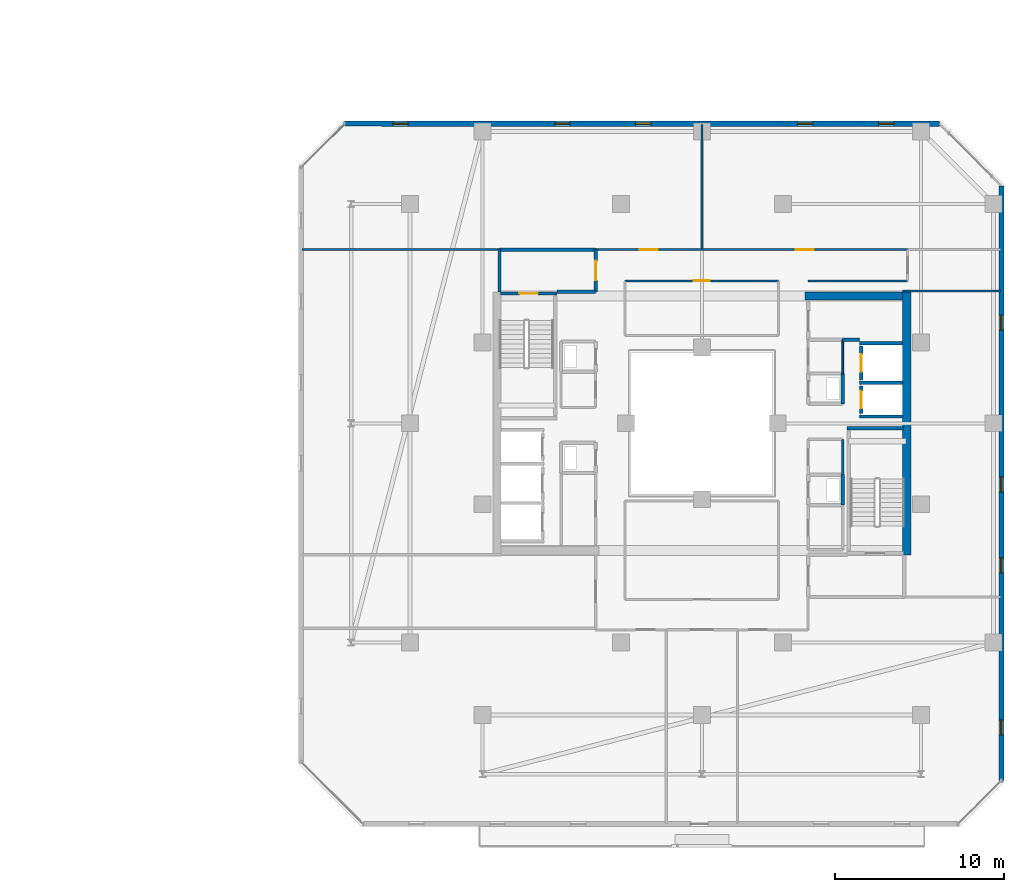
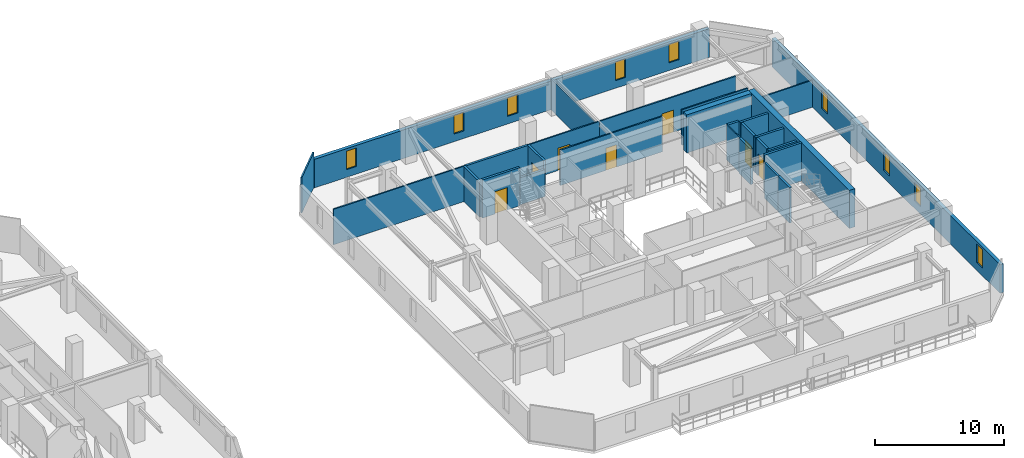
# One storey, part 25 of 33: 28 walls, 9 windows, 7 doors, 16 openings.
"""IFC4 building model written with IfcOpenShell, lengths in metres."""

import ifcopenshell
import ifcopenshell.guid

model = None  # the IFC model being written
_history = None  # IfcOwnerHistory: only IFC2X3 demands one
_inside = {}  # id of a spatial element -> (the spatial element, [elements in it])
_under = {}  # id of a project, library or spatial element -> (it, [spatial elements below it])
_declared = {}  # id of a project -> (the project, [libraries it declares])
_typed = {}  # id of a type object -> (the type object, [elements of that type])
_made_of = {}  # id of a material, layer set ... -> (it, [elements and type objects made of it])


def new_model(schema):
    """Start an empty IFC model of exactly this schema.

    Asked for "IFC4X3", IfcOpenShell would pick the latest addendum, in which some entities
    have other attributes; the version numbers below select the first issue.
    IFC2X3 requires an IfcOwnerHistory on every rooted entity: one is made here for all.
    """
    global model, _history
    if schema == "IFC4X3":
        model = ifcopenshell.file(schema_version=(4, 3, 0, 0))
    else:
        model = ifcopenshell.file(schema=schema)
    _inside.clear()
    _under.clear()
    _declared.clear()
    _typed.clear()
    _made_of.clear()
    _history = None
    if model.schema == "IFC2X3":
        org = make("IfcOrganization", Name="unknown")
        user = make(
            "IfcPersonAndOrganization",
            ThePerson=make("IfcPerson", FamilyName="unknown"),
            TheOrganization=org,
        )
        app = make(
            "IfcApplication",
            ApplicationDeveloper=org,
            Version="unknown",
            ApplicationFullName="unknown",
            ApplicationIdentifier="unknown",
        )
        _history = make(
            "IfcOwnerHistory",
            OwningUser=user,
            OwningApplication=app,
            ChangeAction="ADDED",
            CreationDate=0,
        )
    return model


def make(cls, **values):
    """One entity of the class cls with the attributes given. An attribute that is None is left unset."""
    return model.create_entity(
        cls, **{name: value for name, value in values.items() if value is not None}
    )


def rooted(cls, **values):
    """An entity with a GlobalId (a new one), such as an element, a storey or a relation."""
    return make(cls, GlobalId=ifcopenshell.guid.new(), OwnerHistory=_history, **values)


def si_unit(unit_type, name, prefix=None):
    """IfcSIUnit, for example si_unit("LENGTHUNIT", "METRE", prefix="MILLI")."""
    return make("IfcSIUnit", UnitType=unit_type, Prefix=prefix, Name=name)


def assignment(units):
    """IfcUnitAssignment: the units of a project."""
    return None if units is None else make("IfcUnitAssignment", Units=units)


def point(xyz):
    """IfcCartesianPoint."""
    return None if xyz is None else make("IfcCartesianPoint", Coordinates=xyz)


def direction(xyz):
    """IfcDirection."""
    return None if xyz is None else make("IfcDirection", DirectionRatios=xyz)


def frame(location, z_axis=None, x_axis=None):
    """IfcAxis2Placement3D, a coordinate frame: its origin and axes. An axis left out is left unset."""
    return make(
        "IfcAxis2Placement3D",
        Location=point(location),
        Axis=direction(z_axis),
        RefDirection=direction(x_axis),
    )


def frame_2d(location, x_axis=None):
    """IfcAxis2Placement2D, a coordinate frame in the plane: its origin and x axis."""
    return make(
        "IfcAxis2Placement2D", Location=point(location), RefDirection=direction(x_axis)
    )


def origin():
    """The frame at (0, 0, 0) with its axes left unset."""
    return frame((0.0, 0.0, 0.0))


def place(relative_to, where):
    """IfcLocalPlacement: puts the frame where relative to a parent placement (None: the world)."""
    return make(
        "IfcLocalPlacement", PlacementRelTo=relative_to, RelativePlacement=where
    )


def context(
    kind, dimensions, precision=None, world=None, true_north=None, identifier=None
):
    """IfcGeometricRepresentationContext, for example the 3D "Model" context."""
    return make(
        "IfcGeometricRepresentationContext",
        ContextIdentifier=identifier,
        ContextType=kind,
        CoordinateSpaceDimension=dimensions,
        Precision=precision,
        WorldCoordinateSystem=world,
        TrueNorth=true_north,
    )


def subcontext(parent, identifier, kind, view, scale=None):
    """IfcGeometricRepresentationSubContext, for example "Body" below "Model"."""
    return make(
        "IfcGeometricRepresentationSubContext",
        ContextIdentifier=identifier,
        ContextType=kind,
        ParentContext=parent,
        TargetScale=scale,
        TargetView=view,
    )


def project(units=None, contexts=None):
    """IfcProject with its units and contexts."""
    return rooted(
        "IfcProject",
        Name="project",
        RepresentationContexts=contexts,
        UnitsInContext=assignment(units),
    )


def spatial(cls, under=None, at=None, **own):
    """A site, building, storey or space (cls), placed at a placement, below another one or the project."""
    s = rooted(cls, ObjectPlacement=at, **own)
    if under is not None:
        _under.setdefault(under.id(), (under, []))[1].append(s)
    return s


def profile(cls, at=None, kind="AREA", **sizes):
    """A parametric profile (cls). Its sizes go by their IFC names, for example OverallWidth=200.0."""
    return make(cls, ProfileType=kind, Position=at, **sizes)


def rectangle(**sizes):
    """IfcRectangleProfileDef."""
    return profile("IfcRectangleProfileDef", **sizes)


def extrude(swept, where, along, depth):
    """IfcExtrudedAreaSolid: the profile swept, set in the frame where, extruded along a direction by depth."""
    return make(
        "IfcExtrudedAreaSolid",
        SweptArea=swept,
        Position=where,
        ExtrudedDirection=direction(along),
        Depth=depth,
    )


def shape(context_of_items, identifier, shape_type, items):
    """IfcShapeRepresentation: the items that make up one representation, for example the "Body"."""
    return make(
        "IfcShapeRepresentation",
        ContextOfItems=context_of_items,
        RepresentationIdentifier=identifier,
        RepresentationType=shape_type,
        Items=items,
    )


def material(Name=None, Category=None):
    """IfcMaterial."""
    return make("IfcMaterial", Name=Name, Category=Category)


def layer(
    of_material, thickness, ventilated=None, Name=None, Category=None, Priority=None
):
    """IfcMaterialLayer: one layer of a wall or slab, of a material (None: an air gap)."""
    return make(
        "IfcMaterialLayer",
        Material=of_material,
        LayerThickness=thickness,
        IsVentilated=ventilated,
        Name=Name,
        Category=Category,
        Priority=Priority,
    )


def layer_set(layers, Name=None):
    """IfcMaterialLayerSet."""
    return make("IfcMaterialLayerSet", MaterialLayers=layers, LayerSetName=Name)


def made_of(thing, what):
    """Note that an element or type object is made of a material, layer set ...; save() writes the relation."""
    if what is not None:
        _made_of.setdefault(what.id(), (what, []))[1].append(thing)
    return thing


def type_object(cls, material=None, **own):
    """A type object (cls), such as IfcWallType, which elements share."""
    return made_of(rooted(cls, **own), material)


def element(
    cls,
    number,
    at=None,
    inside=None,
    cuts=None,
    type_object=None,
    material=None,
    context=None,
    identifier="Body",
    shape_type=None,
    held_by="IfcProductDefinitionShape",
    body=None,
    shapes=None,
    **own,
):
    """One element of the class cls, such as IfcWall. Its Tag is "e" and its number.

    at: its placement. inside: the storey or other place that contains it. cuts: it is an
    opening in that element (IfcRelVoidsElement). A single representation is given by context,
    identifier, shape_type and body (its items); several are given by shapes. held_by: the class
    of the entity that holds the representations. save() writes the other relations.
    """
    e = rooted(cls, Tag="e%d" % number, ObjectPlacement=at, **own)
    if body is not None:
        shapes = [shape(context, identifier, shape_type, body)]
    if shapes is not None:
        e.Representation = make(held_by, Representations=shapes)
    if inside is not None:
        _inside.setdefault(inside.id(), (inside, []))[1].append(e)
    if cuts is not None:
        rooted(
            "IfcRelVoidsElement", RelatingBuildingElement=cuts, RelatedOpeningElement=e
        )
    if type_object is not None:
        _typed.setdefault(type_object.id(), (type_object, []))[1].append(e)
    return made_of(e, material)


def fill(opening, filler):
    """IfcRelFillsElement: the door or window that sits in an opening."""
    return rooted(
        "IfcRelFillsElement",
        RelatingOpeningElement=opening,
        RelatedBuildingElement=filler,
    )


def aggregate(whole, parts):
    """IfcRelAggregates: a whole, such as a stair, and the parts it consists of."""
    return rooted("IfcRelAggregates", RelatingObject=whole, RelatedObjects=parts)


def save(model, path):
    """Write the relations noted so far, then the file.

    IfcRelAggregates (storeys below a building ...), IfcRelContainedInSpatialStructure (elements
    in a storey), IfcRelDefinesByType, IfcRelAssociatesMaterial and IfcRelDeclares: one each for
    every whole, place, type object, material and project.
    """
    for whole, parts in _under.values():
        aggregate(whole, parts)
    for where, things in _inside.values():
        rooted(
            "IfcRelContainedInSpatialStructure",
            RelatedElements=things,
            RelatingStructure=where,
        )
    for kind, things in _typed.values():
        rooted("IfcRelDefinesByType", RelatedObjects=things, RelatingType=kind)
    for what, things in _made_of.values():
        rooted("IfcRelAssociatesMaterial", RelatedObjects=things, RelatingMaterial=what)
    for by, libraries in _declared.values():
        rooted("IfcRelDeclares", RelatingContext=by, RelatedDefinitions=libraries)
    model.write(path)


model = new_model("IFC4")

# Units and contexts
model_context = context("Model", 3, precision=1e-05, world=origin(), true_north=direction((0.0, 1.0)))
body_context = subcontext(model_context, "Body", "Model", "MODEL_VIEW")
ifc_project = project(units=[si_unit("LENGTHUNIT", "METRE"), si_unit("AREAUNIT", "SQUARE_METRE"), si_unit("VOLUMEUNIT", "CUBIC_METRE"), si_unit("PLANEANGLEUNIT", "RADIAN"), si_unit("MASSUNIT", "GRAM", prefix="KILO")], contexts=[model_context])

# Site, building, storey
site_placement = place(None, origin())
site = spatial("IfcSite", under=ifc_project, at=site_placement, CompositionType="ELEMENT")
building_placement = place(site_placement, origin())
building = spatial("IfcBuilding", under=site, at=building_placement, Name="Thornwick Lancets Civic Towers", CompositionType="ELEMENT")
storey_placement = place(building_placement, frame((0.0, 0.0, 207.300048828125)))
storey = spatial("IfcBuildingStorey", under=building, at=storey_placement, Name="L55", CompositionType="ELEMENT", Elevation=207.300048828125)

# Wall, opening, door
ifc_material_1 = material(Name="Concrete blockwork C40/50", Category="masonry")
ifc_layer_1 = layer(ifc_material_1, 0.199951171875, Name="Concrete blockwork C40/50")
ifc_layer_set_1 = layer_set([ifc_layer_1], Name="Concrete blockwork C40/50")
wall_type_1 = type_object("IfcWallType", Name="WALL_COMP_200", PredefinedType="STANDARD", material=ifc_layer_set_1)
wall_1_placement = place(storey_placement, frame((97.949951171875, 29.219970703125, 0.0), z_axis=(0.0, 0.0, 1.0), x_axis=(0.0, -1.0, 0.0)))
wall_1 = element("IfcWall", 1, at=wall_1_placement, inside=storey, type_object=wall_type_1, Name="L55 Hoistway Front Wall FL-B1", PredefinedType="STANDARD", context=body_context, shape_type="SweptSolid", body=[
    extrude(rectangle(XDim=1.639892578125, YDim=0.199951171875, at=frame_2d((0.81982421875, 0.0))), origin(), (0.0, 0.0, 1.0), 3.33984375),
])
opening_1_placement = place(wall_1_placement, frame((0.31005859375, 0.0, 0.0)))
opening_1 = element("IfcOpeningElement", 2, at=opening_1_placement, cuts=wall_1, Name="Opening LD-FL-B1", PredefinedType="OPENING", context=body_context, shape_type="SweptSolid", body=[
    extrude(rectangle(XDim=1.02001953125, YDim=2.06005859375, at=frame_2d((0.510009765625, 1.030029296875))), frame((0.0, 0.10986328125, 0.0), z_axis=(0.0, -1.0, 0.0), x_axis=(1.0, 0.0, 0.0)), (0.0, 0.0, 1.0), 0.219970703125),
])
ifc_material_2 = material(Name="Brushed bronze stainless steel", Category="steel")
door_type_1 = type_object("IfcDoorType", Name="DOOR_LIFT_SLIDE", OperationType="SLIDING_TO_LEFT", PredefinedType="DOOR", material=ifc_material_2)
door_1_placement = place(opening_1_placement, origin())
door_1 = element("IfcDoor", 3, at=door_1_placement, inside=storey, type_object=door_type_1, Name="L55 Sliding Lift Landing Door LD-FL-B1", OperationType="SLIDING_TO_LEFT", OverallHeight=2.06005859375, OverallWidth=1.02001953125, PredefinedType="DOOR", context=body_context, shape_type="SweptSolid", body=[
    extrude(rectangle(XDim=1.02001953125, YDim=2.06005859375, at=frame_2d((0.510009765625, 1.030029296875))), frame((0.0, 0.02490234375, 0.0), z_axis=(0.0, -1.0, 0.0), x_axis=(1.0, 0.0, 0.0)), (0.0, 0.0, 1.0), 0.050048828125),
])
fill(opening_1, door_1)

wall_2_placement = place(storey_placement, frame((97.949951171875, 31.570068359375, 0.0), z_axis=(0.0, 0.0, 1.0), x_axis=(0.0, -1.0, 0.0)))
wall_2 = element("IfcWall", 4, at=wall_2_placement, inside=storey, type_object=wall_type_1, Name="L55 Hoistway Front Wall PL-BH1", PredefinedType="STANDARD", context=body_context, shape_type="SweptSolid", body=[
    extrude(rectangle(XDim=1.989990234375, YDim=0.199951171875, at=frame_2d((0.9951171875, 0.0))), origin(), (0.0, 0.0, 1.0), 3.33984375),
])
opening_2_placement = place(wall_2_placement, frame((0.485107421875, 0.0, 0.0)))
opening_2 = element("IfcOpeningElement", 5, at=opening_2_placement, cuts=wall_2, Name="Opening LD-PL-BH1", PredefinedType="OPENING", context=body_context, shape_type="SweptSolid", body=[
    extrude(rectangle(XDim=1.02001953125, YDim=2.06005859375, at=frame_2d((0.510009765625, 1.030029296875))), frame((0.0, 0.10986328125, 0.0), z_axis=(0.0, -1.0, 0.0), x_axis=(1.0, 0.0, 0.0)), (0.0, 0.0, 1.0), 0.219970703125),
])
door_2_placement = place(opening_2_placement, origin())
door_2 = element("IfcDoor", 6, at=door_2_placement, inside=storey, type_object=door_type_1, Name="L55 Sliding Lift Landing Door LD-PL-BH1", OperationType="SLIDING_TO_LEFT", OverallHeight=2.06005859375, OverallWidth=1.02001953125, PredefinedType="DOOR", context=body_context, shape_type="SweptSolid", body=[
    extrude(rectangle(XDim=1.02001953125, YDim=2.06005859375, at=frame_2d((0.510009765625, 1.030029296875))), frame((0.0, 0.02490234375, 0.0), z_axis=(0.0, -1.0, 0.0), x_axis=(1.0, 0.0, 0.0)), (0.0, 0.0, 1.0), 0.050048828125),
])
fill(opening_2, door_2)

# Walls
for number, where, z_axis, x_axis, name in (
    (7, (97.85205078125, 29.39990234375, 0.0), (0.0, 0.0, 1.0), (1.0, 0.0, 0.0), "L55 Hoistway Shaft Wall FL-B1 N"),
    (8, (97.85205078125, 27.39990234375, 0.0), (0.0, 0.0, 1.0), (1.0, 0.0, 0.0), "L55 Hoistway Shaft Wall FL-B1 S"),
    (9, (97.85205078125, 31.75, 0.0), (0.0, 0.0, 1.0), (1.0, 0.0, 0.0), "L55 Hoistway Shaft Wall PL-BH1 N"),
):
    element("IfcWall", number, at=place(storey_placement, frame(where, z_axis=z_axis, x_axis=x_axis)), inside=storey, type_object=wall_type_1, Name=name, PredefinedType="STANDARD", context=body_context, shape_type="SweptSolid", body=[
        extrude(rectangle(XDim=2.535888671875, YDim=0.199951171875, at=frame_2d((1.26806640625, 0.0))), origin(), (0.0, 0.0, 1.0), 3.33984375),
    ])
wall_3_placement = place(storey_placement, frame((79.89990234375, 34.800048828125, 0.0), z_axis=(0.0, 0.0, 1.0), x_axis=(1.0, 0.0, 0.0)))
element("IfcWall", 10, at=wall_3_placement, inside=storey, type_object=wall_type_1, Name="L55 Partition L55-B-FFLOB2 E1", PredefinedType="STANDARD", context=body_context, shape_type="SweptSolid", body=[
    extrude(rectangle(XDim=2.300048828125, YDim=0.199951171875, at=frame_2d((1.14990234375, 0.0))), origin(), (0.0, 0.0, 1.0), 2.544921875),
])

# Wall, opening, door
wall_4_placement = place(storey_placement, frame((82.199951171875, 34.800048828125, 0.0), z_axis=(0.0, 0.0, 1.0), x_axis=(0.0, 1.0, 0.0)))
wall_4 = element("IfcWall", 11, at=wall_4_placement, inside=storey, type_object=wall_type_1, Name="L55 Partition L55-B-FFLOB2 E2", PredefinedType="STANDARD", context=body_context, shape_type="SweptSolid", body=[
    extrude(rectangle(XDim=2.5, YDim=0.199951171875, at=frame_2d((1.25, 0.0))), origin(), (0.0, 0.0, 1.0), 3.33984375),
])
opening_3_placement = place(wall_4_placement, frame((0.675048828125, 0.0, 0.0)))
opening_3 = element("IfcOpeningElement", 12, at=opening_3_placement, cuts=wall_4, Name="Opening D-L55-2446", PredefinedType="OPENING", context=body_context, shape_type="SweptSolid", body=[
    extrude(rectangle(XDim=1.14990234375, YDim=2.10009765625, at=frame_2d((0.574951171875, 1.050048828125))), frame((0.0, 0.10986328125, 0.0), z_axis=(0.0, -1.0, 0.0), x_axis=(1.0, 0.0, 0.0)), (0.0, 0.0, 1.0), 0.219970703125),
])
ifc_material_3 = material(Name="Glazed fire-resisting steel", Category="steel")
door_type_2 = type_object("IfcDoorType", Name="DOOR_LOBBY_FD60", OperationType="NOTDEFINED", PredefinedType="DOOR", material=ifc_material_3)
door_3_placement = place(opening_3_placement, origin())
door_3 = element("IfcDoor", 13, at=door_3_placement, inside=storey, type_object=door_type_2, Name="L55 West Firefighting Lobby 2 Door", OperationType="SINGLE_SWING_LEFT", OverallHeight=2.10009765625, OverallWidth=1.14990234375, PredefinedType="DOOR", context=body_context, shape_type="SweptSolid", body=[
    extrude(rectangle(XDim=1.14990234375, YDim=2.10009765625, at=frame_2d((0.574951171875, 1.050048828125))), frame((0.0, 0.02490234375, 0.0), z_axis=(0.0, -1.0, 0.0), x_axis=(1.0, 0.0, 0.0)), (0.0, 0.0, 1.0), 0.050048828125),
])
fill(opening_3, door_3)

# Walls
wall_5_placement = place(storey_placement, frame((82.199951171875, 37.300048828125, 0.0), z_axis=(0.0, 0.0, 1.0), x_axis=(-1.0, 0.0, 0.0)))
element("IfcWall", 14, at=wall_5_placement, inside=storey, type_object=wall_type_1, Name="L55 Partition L55-B-FFLOB2 E3", PredefinedType="STANDARD", context=body_context, shape_type="SweptSolid", body=[
    extrude(rectangle(XDim=5.699951171875, YDim=0.199951171875, at=frame_2d((2.85009765625, 0.0))), origin(), (0.0, 0.0, 1.0), 3.33984375),
])
wall_6_placement = place(storey_placement, frame((76.5, 37.300048828125, 0.0), z_axis=(0.0, 0.0, 1.0), x_axis=(0.0, -1.0, 0.0)))
element("IfcWall", 15, at=wall_6_placement, inside=storey, type_object=wall_type_1, Name="L55 Partition L55-B-FFLOB2 E4", PredefinedType="STANDARD", context=body_context, shape_type="SweptSolid", body=[
    extrude(rectangle(XDim=2.5, YDim=0.199951171875, at=frame_2d((1.25, 0.0))), origin(), (0.0, 0.0, 1.0), 3.33984375),
])
for number, where, z_axis, x_axis, name in (
    (16, (96.85009765625, 28.14990234375, 0.0), (0.0, 0.0, 1.0), (0.0, 1.0, 0.0), "L55 Partition L55-B-DUCT1 E2"),
    (17, (96.85009765625, 22.14990234375, 0.0), (0.0, 0.0, 1.0), (0.0, 1.0, 0.0), "L55 Partition L55-B-RISER1 E2"),
):
    element("IfcWall", number, at=place(storey_placement, frame(where, z_axis=z_axis, x_axis=x_axis)), inside=storey, type_object=wall_type_1, Name=name, PredefinedType="STANDARD", context=body_context, shape_type="SweptSolid", body=[
        extrude(rectangle(XDim=1.800048828125, YDim=0.199951171875, at=frame_2d((0.89990234375, 0.0))), origin(), (0.0, 0.0, 1.0), 3.33984375),
    ])
wall_7_placement = place(storey_placement, frame((97.85205078125, 31.949951171875, 0.0), z_axis=(0.0, 0.0, 1.0), x_axis=(-1.0, 0.0, 0.0)))
element("IfcWall", 18, at=wall_7_placement, inside=storey, type_object=wall_type_1, Name="L55 Partition L55-B-ITR2 E4", PredefinedType="STANDARD", context=body_context, shape_type="SweptSolid", body=[
    extrude(rectangle(XDim=1.001953125, YDim=0.199951171875, at=frame_2d((0.5009765625, 0.0))), origin(), (0.0, 0.0, 1.0), 3.33984375),
])
ifc_material_4 = material(Name="Concrete C50/60", Category="concrete")
ifc_layer_2 = layer(ifc_material_4, 0.5, Name="Concrete C50/60")
ifc_layer_set_2 = layer_set([ifc_layer_2], Name="Concrete C50/60")
wall_type_2 = type_object("IfcWallType", Name="WALL_CORE_500", PredefinedType="SHEAR", material=ifc_layer_set_2)
wall_8_placement = place(storey_placement, frame((100.64990234375, 19.199951171875, 0.0), z_axis=(0.0, 0.0, 1.0), x_axis=(0.0, 1.0, 0.0)))
element("IfcWall", 19, at=wall_8_placement, inside=storey, type_object=wall_type_2, Name="L55 Split Core B1 Shear Wall E", PredefinedType="SHEAR", context=body_context, shape_type="SweptSolid", body=[
    extrude(rectangle(XDim=15.60009765625, YDim=0.5, at=frame_2d((7.800048828125, 0.0))), origin(), (0.0, 0.0, 1.0), 3.599853515625),
])
wall_9_placement = place(storey_placement, frame((94.60009765625, 34.550048828125, 0.0), z_axis=(0.0, 0.0, 1.0), x_axis=(1.0, 0.0, 0.0)))
element("IfcWall", 20, at=wall_9_placement, inside=storey, type_object=wall_type_2, Name="L55 Split Core B1 Shear Wall N", PredefinedType="SHEAR", context=body_context, shape_type="SweptSolid", body=[
    extrude(rectangle(XDim=5.7998046875, YDim=0.5, at=frame_2d((2.89990234375, 0.0))), origin(), (0.0, 0.0, 1.0), 3.599853515625),
])

# Wall, openings, windows
ifc_material_5 = material(Name="Insulated russet terracotta rainscreen on concrete C40/50", Category="masonry")
ifc_layer_3 = layer(ifc_material_5, 0.300048828125, Name="Insulated russet terracotta rainscreen on concrete C40/50")
ifc_layer_set_3 = layer_set([ifc_layer_3], Name="Insulated russet terracotta rainscreen on concrete C40/50")
wall_type_3 = type_object("IfcWallType", Name="WALL_EXT_RUSSET_300", PredefinedType="STANDARD", material=ifc_layer_set_3)
wall_10_placement = place(storey_placement, frame((106.2646484375, 5.818603515625, 0.0), z_axis=(0.0, 0.0, 1.0), x_axis=(-0.000103863011, 0.999999994606, 0.0)))
wall_10 = element("IfcWall", 21, at=wall_10_placement, inside=storey, type_object=wall_type_3, Name="L55 Tower B Terracotta Facade Wall E2", PredefinedType="STANDARD", context=body_context, shape_type="SweptSolid", body=[
    extrude(rectangle(XDim=35.259033203125, YDim=0.300048828125, at=frame_2d((17.62939453125, 0.0))), origin(), (0.0, 0.0, 1.0), 2.699951171875),
])
opening_4_placement = place(wall_10_placement, frame((2.699951171875, 0.0, 0.719970703125)))
opening_4 = element("IfcOpeningElement", 22, at=opening_4_placement, cuts=wall_10, Name="Opening WL-01", PredefinedType="OPENING", context=body_context, shape_type="SweptSolid", body=[
    extrude(rectangle(XDim=0.89990234375, YDim=1.75, at=frame_2d((0.449951171875, 0.875))), frame((0.0, 0.16015625, 0.0), z_axis=(0.0, -1.0, 0.0), x_axis=(1.0, 0.0, 0.0)), (0.0, 0.0, 1.0), 0.320068359375),
])
opening_5_placement = place(wall_10_placement, frame((12.300048828125, 0.0, 0.719970703125)))
opening_5 = element("IfcOpeningElement", 23, at=opening_5_placement, cuts=wall_10, Name="Opening WL-01", PredefinedType="OPENING", context=body_context, shape_type="SweptSolid", body=[
    extrude(rectangle(XDim=0.89990234375, YDim=1.75, at=frame_2d((0.449951171875, 0.875))), frame((0.0, 0.16015625, 0.0), z_axis=(0.0, -1.0, 0.0), x_axis=(1.0, 0.0, 0.0)), (0.0, 0.0, 1.0), 0.320068359375),
])
opening_6_placement = place(wall_10_placement, frame((17.10009765625, 0.0, 0.719970703125)))
opening_6 = element("IfcOpeningElement", 24, at=opening_6_placement, cuts=wall_10, Name="Opening WL-01", PredefinedType="OPENING", context=body_context, shape_type="SweptSolid", body=[
    extrude(rectangle(XDim=0.89990234375, YDim=1.75, at=frame_2d((0.449951171875, 0.875))), frame((0.0, 0.16015625, 0.0), z_axis=(0.0, -1.0, 0.0), x_axis=(1.0, 0.0, 0.0)), (0.0, 0.0, 1.0), 0.320068359375),
])
opening_7_placement = place(wall_10_placement, frame((26.699951171875, 0.0, 0.719970703125)))
opening_7 = element("IfcOpeningElement", 25, at=opening_7_placement, cuts=wall_10, Name="Opening WL-01", PredefinedType="OPENING", context=body_context, shape_type="SweptSolid", body=[
    extrude(rectangle(XDim=0.89990234375, YDim=1.75, at=frame_2d((0.449951171875, 0.875))), frame((0.0, 0.16015625, 0.0), z_axis=(0.0, -1.0, 0.0), x_axis=(1.0, 0.0, 0.0)), (0.0, 0.0, 1.0), 0.320068359375),
])
ifc_material_6 = material(Name="Clear low-e double glazing in bronze frame", Category="glass")
window_type = type_object("IfcWindowType", Name="WIN_LANCET_900", PartitioningType="SINGLE_PANEL", PredefinedType="WINDOW", material=ifc_material_6)
window_1_placement = place(opening_4_placement, origin())
window_1 = element("IfcWindow", 26, at=window_1_placement, inside=storey, type_object=window_type, Name="L55 Tower B Staggered Lancet Window E2-1", OverallHeight=1.75, OverallWidth=0.89990234375, PartitioningType="SINGLE_PANEL", PredefinedType="WINDOW", context=body_context, shape_type="SweptSolid", body=[
    extrude(rectangle(XDim=0.89990234375, YDim=1.75, at=frame_2d((0.449951171875, 0.875))), frame((0.0, 0.030029296875, 0.0), z_axis=(0.0, -1.0, 0.0), x_axis=(1.0, 0.0, 0.0)), (0.0, 0.0, 1.0), 0.06005859375),
])
fill(opening_4, window_1)
window_2_placement = place(opening_5_placement, origin())
window_2 = element("IfcWindow", 27, at=window_2_placement, inside=storey, type_object=window_type, Name="L55 Tower B Staggered Lancet Window E2-2", OverallHeight=1.75, OverallWidth=0.89990234375, PartitioningType="SINGLE_PANEL", PredefinedType="WINDOW", context=body_context, shape_type="SweptSolid", body=[
    extrude(rectangle(XDim=0.89990234375, YDim=1.75, at=frame_2d((0.449951171875, 0.875))), frame((0.0, 0.030029296875, 0.0), z_axis=(0.0, -1.0, 0.0), x_axis=(1.0, 0.0, 0.0)), (0.0, 0.0, 1.0), 0.06005859375),
])
fill(opening_5, window_2)
window_3_placement = place(opening_6_placement, origin())
window_3 = element("IfcWindow", 28, at=window_3_placement, inside=storey, type_object=window_type, Name="L55 Tower B Staggered Lancet Window E2-3", OverallHeight=1.75, OverallWidth=0.89990234375, PartitioningType="SINGLE_PANEL", PredefinedType="WINDOW", context=body_context, shape_type="SweptSolid", body=[
    extrude(rectangle(XDim=0.89990234375, YDim=1.75, at=frame_2d((0.449951171875, 0.875))), frame((0.0, 0.030029296875, 0.0), z_axis=(0.0, -1.0, 0.0), x_axis=(1.0, 0.0, 0.0)), (0.0, 0.0, 1.0), 0.06005859375),
])
fill(opening_6, window_3)
window_4_placement = place(opening_7_placement, origin())
window_4 = element("IfcWindow", 29, at=window_4_placement, inside=storey, type_object=window_type, Name="L55 Tower B Staggered Lancet Window E2-4", OverallHeight=1.75, OverallWidth=0.89990234375, PartitioningType="SINGLE_PANEL", PredefinedType="WINDOW", context=body_context, shape_type="SweptSolid", body=[
    extrude(rectangle(XDim=0.89990234375, YDim=1.75, at=frame_2d((0.449951171875, 0.875))), frame((0.0, 0.030029296875, 0.0), z_axis=(0.0, -1.0, 0.0), x_axis=(1.0, 0.0, 0.0)), (0.0, 0.0, 1.0), 0.06005859375),
])
fill(opening_7, window_4)

wall_11_placement = place(storey_placement, frame((102.57763671875, 44.760986328125, 0.0), z_axis=(0.0, 0.0, 1.0), x_axis=(-0.999999994606, 0.000103863011, 0.0)))
wall_11 = element("IfcWall", 30, at=wall_11_placement, inside=storey, type_object=wall_type_3, Name="L55 Tower B Terracotta Facade Wall E4", PredefinedType="STANDARD", context=body_context, shape_type="SweptSolid", body=[
    extrude(rectangle(XDim=35.259033203125, YDim=0.300048828125, at=frame_2d((17.62939453125, 0.0))), origin(), (0.0, 0.0, 1.0), 2.699951171875),
])
opening_8_placement = place(wall_11_placement, frame((2.699951171875, 0.0, 0.719970703125)))
opening_8 = element("IfcOpeningElement", 31, at=opening_8_placement, cuts=wall_11, Name="Opening WL-01", PredefinedType="OPENING", context=body_context, shape_type="SweptSolid", body=[
    extrude(rectangle(XDim=0.89990234375, YDim=1.75, at=frame_2d((0.449951171875, 0.875))), frame((0.0, 0.16015625, 0.0), z_axis=(0.0, -1.0, 0.0), x_axis=(1.0, 0.0, 0.0)), (0.0, 0.0, 1.0), 0.320068359375),
])
opening_9_placement = place(wall_11_placement, frame((7.5, 0.0, 0.719970703125)))
opening_9 = element("IfcOpeningElement", 32, at=opening_9_placement, cuts=wall_11, Name="Opening WL-01", PredefinedType="OPENING", context=body_context, shape_type="SweptSolid", body=[
    extrude(rectangle(XDim=0.89990234375, YDim=1.75, at=frame_2d((0.449951171875, 0.875))), frame((0.0, 0.16015625, 0.0), z_axis=(0.0, -1.0, 0.0), x_axis=(1.0, 0.0, 0.0)), (0.0, 0.0, 1.0), 0.320068359375),
])
opening_10_placement = place(wall_11_placement, frame((17.10009765625, 0.0, 0.719970703125)))
opening_10 = element("IfcOpeningElement", 33, at=opening_10_placement, cuts=wall_11, Name="Opening WL-01", PredefinedType="OPENING", context=body_context, shape_type="SweptSolid", body=[
    extrude(rectangle(XDim=0.89990234375, YDim=1.75, at=frame_2d((0.449951171875, 0.875))), frame((0.0, 0.16015625, 0.0), z_axis=(0.0, -1.0, 0.0), x_axis=(1.0, 0.0, 0.0)), (0.0, 0.0, 1.0), 0.320068359375),
])
opening_11_placement = place(wall_11_placement, frame((21.89990234375, 0.0, 0.719970703125)))
opening_11 = element("IfcOpeningElement", 34, at=opening_11_placement, cuts=wall_11, Name="Opening WL-01", PredefinedType="OPENING", context=body_context, shape_type="SweptSolid", body=[
    extrude(rectangle(XDim=0.89990234375, YDim=1.75, at=frame_2d((0.449951171875, 0.875))), frame((0.0, 0.16015625, 0.0), z_axis=(0.0, -1.0, 0.0), x_axis=(1.0, 0.0, 0.0)), (0.0, 0.0, 1.0), 0.320068359375),
])
opening_12_placement = place(wall_11_placement, frame((31.5, 0.0, 0.719970703125)))
opening_12 = element("IfcOpeningElement", 35, at=opening_12_placement, cuts=wall_11, Name="Opening WL-01", PredefinedType="OPENING", context=body_context, shape_type="SweptSolid", body=[
    extrude(rectangle(XDim=0.89990234375, YDim=1.75, at=frame_2d((0.449951171875, 0.875))), frame((0.0, 0.16015625, 0.0), z_axis=(0.0, -1.0, 0.0), x_axis=(1.0, 0.0, 0.0)), (0.0, 0.0, 1.0), 0.320068359375),
])
window_5_placement = place(opening_8_placement, origin())
window_5 = element("IfcWindow", 36, at=window_5_placement, inside=storey, type_object=window_type, Name="L55 Tower B Staggered Lancet Window E4-1", OverallHeight=1.75, OverallWidth=0.89990234375, PartitioningType="SINGLE_PANEL", PredefinedType="WINDOW", context=body_context, shape_type="SweptSolid", body=[
    extrude(rectangle(XDim=0.89990234375, YDim=1.75, at=frame_2d((0.449951171875, 0.875))), frame((0.0, 0.030029296875, 0.0), z_axis=(0.0, -1.0, 0.0), x_axis=(1.0, 0.0, 0.0)), (0.0, 0.0, 1.0), 0.06005859375),
])
fill(opening_8, window_5)
window_6_placement = place(opening_9_placement, origin())
window_6 = element("IfcWindow", 37, at=window_6_placement, inside=storey, type_object=window_type, Name="L55 Tower B Staggered Lancet Window E4-2", OverallHeight=1.75, OverallWidth=0.89990234375, PartitioningType="SINGLE_PANEL", PredefinedType="WINDOW", context=body_context, shape_type="SweptSolid", body=[
    extrude(rectangle(XDim=0.89990234375, YDim=1.75, at=frame_2d((0.449951171875, 0.875))), frame((0.0, 0.030029296875, 0.0), z_axis=(0.0, -1.0, 0.0), x_axis=(1.0, 0.0, 0.0)), (0.0, 0.0, 1.0), 0.06005859375),
])
fill(opening_9, window_6)
window_7_placement = place(opening_10_placement, origin())
window_7 = element("IfcWindow", 38, at=window_7_placement, inside=storey, type_object=window_type, Name="L55 Tower B Staggered Lancet Window E4-3", OverallHeight=1.75, OverallWidth=0.89990234375, PartitioningType="SINGLE_PANEL", PredefinedType="WINDOW", context=body_context, shape_type="SweptSolid", body=[
    extrude(rectangle(XDim=0.89990234375, YDim=1.75, at=frame_2d((0.449951171875, 0.875))), frame((0.0, 0.030029296875, 0.0), z_axis=(0.0, -1.0, 0.0), x_axis=(1.0, 0.0, 0.0)), (0.0, 0.0, 1.0), 0.06005859375),
])
fill(opening_10, window_7)
window_8_placement = place(opening_11_placement, origin())
window_8 = element("IfcWindow", 39, at=window_8_placement, inside=storey, type_object=window_type, Name="L55 Tower B Staggered Lancet Window E4-4", OverallHeight=1.75, OverallWidth=0.89990234375, PartitioningType="SINGLE_PANEL", PredefinedType="WINDOW", context=body_context, shape_type="SweptSolid", body=[
    extrude(rectangle(XDim=0.89990234375, YDim=1.75, at=frame_2d((0.449951171875, 0.875))), frame((0.0, 0.030029296875, 0.0), z_axis=(0.0, -1.0, 0.0), x_axis=(1.0, 0.0, 0.0)), (0.0, 0.0, 1.0), 0.06005859375),
])
fill(opening_11, window_8)
window_9_placement = place(opening_12_placement, origin())
window_9 = element("IfcWindow", 40, at=window_9_placement, inside=storey, type_object=window_type, Name="L55 Tower B Staggered Lancet Window E4-5", OverallHeight=1.75, OverallWidth=0.89990234375, PartitioningType="SINGLE_PANEL", PredefinedType="WINDOW", context=body_context, shape_type="SweptSolid", body=[
    extrude(rectangle(XDim=0.89990234375, YDim=1.75, at=frame_2d((0.449951171875, 0.875))), frame((0.0, 0.030029296875, 0.0), z_axis=(0.0, -1.0, 0.0), x_axis=(1.0, 0.0, 0.0)), (0.0, 0.0, 1.0), 0.06005859375),
])
fill(opening_12, window_9)

# Walls
ifc_material_7 = material(Name="Lightweight cellular office partition")
ifc_layer_4 = layer(ifc_material_7, 0.10009765625, Name="Lightweight cellular office partition")
ifc_layer_set_4 = layer_set([ifc_layer_4], Name="Lightweight cellular office partition")
wall_type_4 = type_object("IfcWallType", Name="WALL_PART_100", PredefinedType="PARTITIONING", material=ifc_layer_set_4)
wall_12_placement = place(storey_placement, frame((96.85009765625, 31.949951171875, 0.0), z_axis=(0.0, 0.0, 1.0), x_axis=(0.0, -1.0, 0.0)))
element("IfcWall", 41, at=wall_12_placement, inside=storey, type_object=wall_type_4, Name="L55 Partition L55-B-CLN E3", PredefinedType="PARTITIONING", context=body_context, shape_type="SweptSolid", body=[
    extrude(rectangle(XDim=2.0, YDim=0.10009765625, at=frame_2d((1.0, 0.0))), origin(), (0.0, 0.0, 1.0), 3.33984375),
])
ifc_material_8 = material(Name="Acoustic gypsum board partition")
ifc_layer_5 = layer(ifc_material_8, 0.1201171875, Name="Acoustic gypsum board partition")
ifc_layer_set_5 = layer_set([ifc_layer_5], Name="Acoustic gypsum board partition")
wall_type_5 = type_object("IfcWallType", Name="WALL_PART_120", PredefinedType="PARTITIONING", material=ifc_layer_set_5)
wall_13_placement = place(storey_placement, frame((94.800048828125, 35.449951171875, 0.0), z_axis=(0.0, 0.0, 1.0), x_axis=(1.0, 0.0, 0.0)))
element("IfcWall", 42, at=wall_13_placement, inside=storey, type_object=wall_type_5, Name="L55 Partition L55-B-RECLAIM-L E2", PredefinedType="PARTITIONING", context=body_context, shape_type="SweptSolid", body=[
    extrude(rectangle(XDim=5.89990234375, YDim=0.1201171875, at=frame_2d((2.949951171875, 0.0))), origin(), (0.0, 0.0, 1.0), 3.33984375),
])
wall_14_placement = place(storey_placement, frame((106.219970703125, 34.85009765625, 0.0), z_axis=(0.0, 0.0, 1.0), x_axis=(-1.0, 0.0, 0.0)))
element("IfcWall", 43, at=wall_14_placement, inside=storey, type_object=wall_type_5, Name="L55 Partition L55-B-RECLAIM-L E6", PredefinedType="PARTITIONING", context=body_context, shape_type="SweptSolid", body=[
    extrude(rectangle(XDim=5.820068359375, YDim=0.1201171875, at=frame_2d((2.91015625, 0.0))), origin(), (0.0, 0.0, 1.0), 2.544921875),
])

# Wall, opening, door
wall_15_placement = place(storey_placement, frame((100.699951171875, 37.300048828125, 0.0), z_axis=(0.0, 0.0, 1.0), x_axis=(-1.0, 0.0, 0.0)))
wall_15 = element("IfcWall", 44, at=wall_15_placement, inside=storey, type_object=wall_type_5, Name="L55 Partition L55-B-E1 E1", PredefinedType="PARTITIONING", context=body_context, shape_type="SweptSolid", body=[
    extrude(rectangle(XDim=12.199951171875, YDim=0.1201171875, at=frame_2d((6.10009765625, 0.0))), origin(), (0.0, 0.0, 1.0), 3.33984375),
])
opening_13_placement = place(wall_15_placement, frame((5.574951171875, 0.0, 0.0)))
opening_13 = element("IfcOpeningElement", 45, at=opening_13_placement, cuts=wall_15, Name="Opening D-L55-2472", PredefinedType="OPENING", context=body_context, shape_type="SweptSolid", body=[
    extrude(rectangle(XDim=1.050048828125, YDim=2.10009765625, at=frame_2d((0.52490234375, 1.050048828125))), frame((0.0, 0.070068359375, 0.0), z_axis=(0.0, -1.0, 0.0), x_axis=(1.0, 0.0, 0.0)), (0.0, 0.0, 1.0), 0.14013671875),
])
ifc_material_9 = material(Name="Glazed European oak executive doorset")
door_type_3 = type_object("IfcDoorType", Name="DOOR_OFFICE_1050", OperationType="NOTDEFINED", PredefinedType="DOOR", material=ifc_material_9)
door_4_placement = place(opening_13_placement, origin())
door_4 = element("IfcDoor", 46, at=door_4_placement, inside=storey, type_object=door_type_3, Name="L55 Tower B Secretariat Open Office E1 Door", OperationType="SINGLE_SWING_LEFT", OverallHeight=2.10009765625, OverallWidth=1.050048828125, PredefinedType="DOOR", context=body_context, shape_type="SweptSolid", body=[
    extrude(rectangle(XDim=1.050048828125, YDim=2.10009765625, at=frame_2d((0.52490234375, 1.050048828125))), frame((0.0, 0.02490234375, 0.0), z_axis=(0.0, -1.0, 0.0), x_axis=(1.0, 0.0, 0.0)), (0.0, 0.0, 1.0), 0.050048828125),
])
fill(opening_13, door_4)

# Walls
wall_16_placement = place(storey_placement, frame((88.5, 37.300048828125, 0.0), z_axis=(0.0, 0.0, 1.0), x_axis=(0.0, 1.0, 0.0)))
element("IfcWall", 47, at=wall_16_placement, inside=storey, type_object=wall_type_5, Name="L55 Partition L55-B-E1 E2", PredefinedType="PARTITIONING", context=body_context, shape_type="SweptSolid", body=[
    extrude(rectangle(XDim=7.419921875, YDim=0.1201171875, at=frame_2d((3.7099609375, 0.0))), origin(), (0.0, 0.0, 1.0), 2.93212890625),
])
wall_17_placement = place(storey_placement, frame((76.5, 37.300048828125, 0.0), z_axis=(0.0, 0.0, 1.0), x_axis=(-1.0, 0.0, 0.0)))
element("IfcWall", 48, at=wall_17_placement, inside=storey, type_object=wall_type_5, Name="L55 Partition L55-B-E2 E2", PredefinedType="PARTITIONING", context=body_context, shape_type="SweptSolid", body=[
    extrude(rectangle(XDim=11.719970703125, YDim=0.1201171875, at=frame_2d((5.85986328125, 0.0))), origin(), (0.0, 0.0, 1.0), 3.33984375),
])
wall_18_placement = place(storey_placement, frame((64.780029296875, 42.225341796875, 0.0), z_axis=(0.0, 0.0, 1.0), x_axis=(0.707106781187, 0.707106781187, 0.0)))
element("IfcWall", 49, at=wall_18_placement, inside=storey, type_object=wall_type_5, Name="L55 Partition L55-B-E2 E4", PredefinedType="PARTITIONING", context=body_context, shape_type="SweptSolid", body=[
    extrude(rectangle(XDim=3.52783203125, YDim=0.1201171875, at=frame_2d((1.763916015625, 0.0))), origin(), (0.0, 0.0, 1.0), 3.33984375),
])

# Wall, opening, door
wall_19_placement = place(storey_placement, frame((88.5, 37.300048828125, 0.0), z_axis=(0.0, 0.0, 1.0), x_axis=(-1.0, 0.0, 0.0)))
wall_19 = element("IfcWall", 50, at=wall_19_placement, inside=storey, type_object=wall_type_5, Name="L55 Partition L55-B-E2 E7", PredefinedType="PARTITIONING", context=body_context, shape_type="SweptSolid", body=[
    extrude(rectangle(XDim=6.300048828125, YDim=0.1201171875, at=frame_2d((3.14990234375, 0.0))), origin(), (0.0, 0.0, 1.0), 3.33984375),
])
opening_14_placement = place(wall_19_placement, frame((2.625, 0.0, 0.0)))
opening_14 = element("IfcOpeningElement", 51, at=opening_14_placement, cuts=wall_19, Name="Opening D-L55-2473", PredefinedType="OPENING", context=body_context, shape_type="SweptSolid", body=[
    extrude(rectangle(XDim=1.050048828125, YDim=2.10009765625, at=frame_2d((0.52490234375, 1.050048828125))), frame((0.0, 0.070068359375, 0.0), z_axis=(0.0, -1.0, 0.0), x_axis=(1.0, 0.0, 0.0)), (0.0, 0.0, 1.0), 0.14013671875),
])
door_5_placement = place(opening_14_placement, origin())
door_5 = element("IfcDoor", 52, at=door_5_placement, inside=storey, type_object=door_type_3, Name="L55 Tower B Visitors Reception and Waiting Door", OperationType="SINGLE_SWING_RIGHT", OverallHeight=2.10009765625, OverallWidth=1.050048828125, PredefinedType="DOOR", context=body_context, shape_type="SweptSolid", body=[
    extrude(rectangle(XDim=1.050048828125, YDim=2.10009765625, at=frame_2d((0.52490234375, 1.050048828125))), frame((0.0, 0.02490234375, 0.0), z_axis=(0.0, -1.0, 0.0), x_axis=(1.0, 0.0, 0.0)), (0.0, 0.0, 1.0), 0.050048828125),
])
fill(opening_14, door_5)

wall_20_placement = place(storey_placement, frame((83.949951171875, 35.449951171875, 0.0), z_axis=(0.0, 0.0, 1.0), x_axis=(1.0, 0.0, 0.0)))
wall_20 = element("IfcWall", 53, at=wall_20_placement, inside=storey, type_object=wall_type_5, Name="L55 Partition L55-B-E-ATRIUM-OFF E2", PredefinedType="PARTITIONING", context=body_context, shape_type="SweptSolid", body=[
    extrude(rectangle(XDim=9.10009765625, YDim=0.1201171875, at=frame_2d((4.550048828125, 0.0))), origin(), (0.0, 0.0, 1.0), 3.33984375),
])
opening_15_placement = place(wall_20_placement, frame((4.074951171875, 0.0, 0.0)))
opening_15 = element("IfcOpeningElement", 54, at=opening_15_placement, cuts=wall_20, Name="Opening D-L55-2474", PredefinedType="OPENING", context=body_context, shape_type="SweptSolid", body=[
    extrude(rectangle(XDim=0.949951171875, YDim=2.10009765625, at=frame_2d((0.47509765625, 1.050048828125))), frame((0.0, 0.070068359375, 0.0), z_axis=(0.0, -1.0, 0.0), x_axis=(1.0, 0.0, 0.0)), (0.0, 0.0, 1.0), 0.14013671875),
])
ifc_material_10 = material(Name="European oak acoustic doorset")
door_type_4 = type_object("IfcDoorType", Name="DOOR_OFFICE_950", OperationType="NOTDEFINED", PredefinedType="DOOR", material=ifc_material_10)
door_6_placement = place(opening_15_placement, origin())
door_6 = element("IfcDoor", 55, at=door_6_placement, inside=storey, type_object=door_type_4, Name="L55 Tower B Atrium Policy Office Door", OperationType="SINGLE_SWING_LEFT", OverallHeight=2.10009765625, OverallWidth=0.949951171875, PredefinedType="DOOR", context=body_context, shape_type="SweptSolid", body=[
    extrude(rectangle(XDim=0.949951171875, YDim=2.10009765625, at=frame_2d((0.47509765625, 1.050048828125))), frame((0.0, 0.02490234375, 0.0), z_axis=(0.0, -1.0, 0.0), x_axis=(1.0, 0.0, 0.0)), (0.0, 0.0, 1.0), 0.050048828125),
])
fill(opening_15, door_6)

# Walls
ifc_material_11 = material(Name="Twin-stud acoustic gypsum board")
ifc_layer_6 = layer(ifc_material_11, 0.14990234375, Name="Twin-stud acoustic gypsum board")
ifc_layer_set_6 = layer_set([ifc_layer_6], Name="Twin-stud acoustic gypsum board")
wall_type_6 = type_object("IfcWallType", Name="WALL_PART_150", PredefinedType="PARTITIONING", material=ifc_layer_set_6)
wall_21_placement = place(storey_placement, frame((96.85009765625, 26.050048828125, 0.0), z_axis=(0.0, 0.0, 1.0), x_axis=(0.0, -1.0, 0.0)))
element("IfcWall", 56, at=wall_21_placement, inside=storey, type_object=wall_type_6, Name="L55 Partition L55-B-AWC E3", PredefinedType="PARTITIONING", context=body_context, shape_type="SweptSolid", body=[
    extrude(rectangle(XDim=2.10009765625, YDim=0.14990234375, at=frame_2d((1.050048828125, 0.0))), origin(), (0.0, 0.0, 1.0), 3.33984375),
])
ifc_material_12 = material(Name="Concrete C40/50", Category="concrete")
ifc_layer_7 = layer(ifc_material_12, 0.199951171875, Name="Concrete C40/50")
ifc_layer_set_7 = layer_set([ifc_layer_7], Name="Concrete C40/50")
wall_type_7 = type_object("IfcWallType", Name="WALL_SHAFT_200", PredefinedType="SHEAR", material=ifc_layer_set_7)
wall_22_placement = place(storey_placement, frame((97.10009765625, 26.699951171875, 0.0), z_axis=(0.0, 0.0, 1.0), x_axis=(1.0, 0.0, 0.0)))
element("IfcWall", 57, at=wall_22_placement, inside=storey, type_object=wall_type_7, Name="L55 ST-B1 Fire Stair Core Wall FAR", PredefinedType="SHEAR", context=body_context, shape_type="SweptSolid", body=[
    extrude(rectangle(XDim=3.349853515625, YDim=0.199951171875, at=frame_2d((1.6748046875, 0.0))), origin(), (0.0, 0.0, 1.0), 3.599853515625),
])

# Wall, opening, door
wall_23_placement = place(storey_placement, frame((76.550048828125, 34.699951171875, 0.0), z_axis=(0.0, 0.0, 1.0), x_axis=(1.0, 0.0, 0.0)))
wall_23 = element("IfcWall", 58, at=wall_23_placement, inside=storey, type_object=wall_type_7, Name="L55 ST-B2 Fire Stair Core Wall NEAR", PredefinedType="SHEAR", context=body_context, shape_type="SweptSolid", body=[
    extrude(rectangle(XDim=3.349853515625, YDim=0.199951171875, at=frame_2d((1.6748046875, 0.0))), origin(), (0.0, 0.0, 1.0), 3.599853515625),
])
opening_16_placement = place(wall_23_placement, frame((1.125, 0.0, 0.0)))
opening_16 = element("IfcOpeningElement", 59, at=opening_16_placement, cuts=wall_23, Name="Opening D-ST-B2-L55", PredefinedType="OPENING", context=body_context, shape_type="SweptSolid", body=[
    extrude(rectangle(XDim=1.10009765625, YDim=2.10009765625, at=frame_2d((0.550048828125, 1.050048828125))), frame((0.0, 0.10986328125, 0.0), z_axis=(0.0, -1.0, 0.0), x_axis=(1.0, 0.0, 0.0)), (0.0, 0.0, 1.0), 0.219970703125),
])
ifc_material_13 = material(Name="Fire-resisting steel and hardwood", Category="steel")
door_type_5 = type_object("IfcDoorType", Name="DOOR_STAIR_FD60", OperationType="NOTDEFINED", PredefinedType="DOOR", material=ifc_material_13)
door_7_placement = place(opening_16_placement, origin())
door_7 = element("IfcDoor", 60, at=door_7_placement, inside=storey, type_object=door_type_5, Name="L55 ST-B2 Exit Stair Door", OperationType="SINGLE_SWING_LEFT", OverallHeight=2.10009765625, OverallWidth=1.10009765625, PredefinedType="DOOR", context=body_context, shape_type="SweptSolid", body=[
    extrude(rectangle(XDim=1.10009765625, YDim=2.10009765625, at=frame_2d((0.550048828125, 1.050048828125))), frame((0.0, 0.02490234375, 0.0), z_axis=(0.0, -1.0, 0.0), x_axis=(1.0, 0.0, 0.0)), (0.0, 0.0, 1.0), 0.050048828125),
])
fill(opening_16, door_7)

save(model, "model.ifc")
